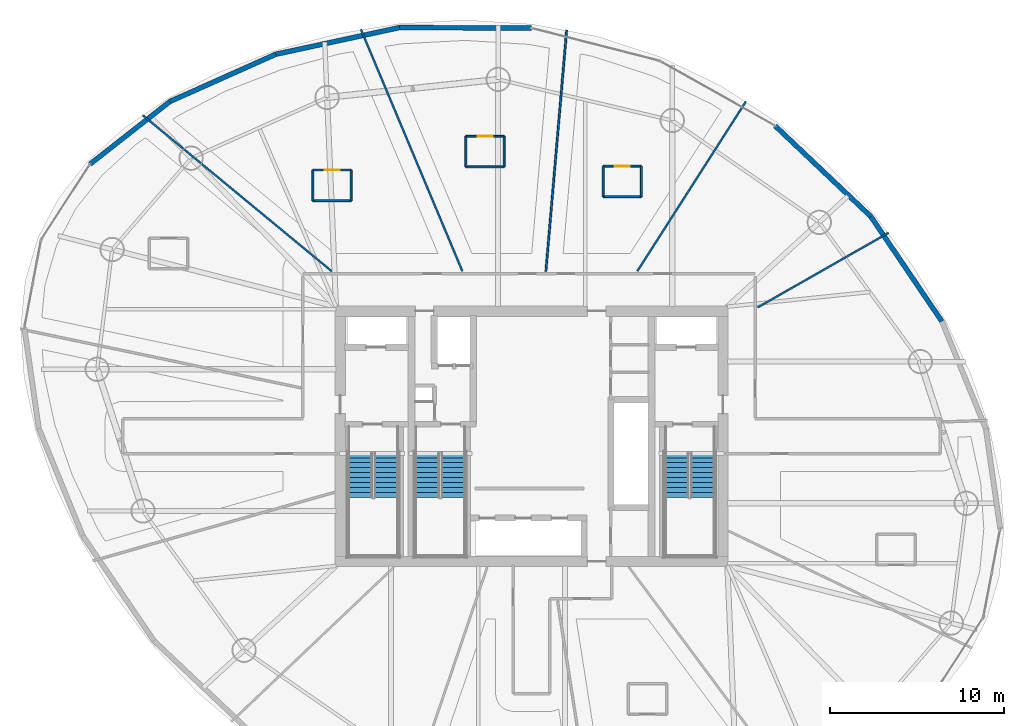
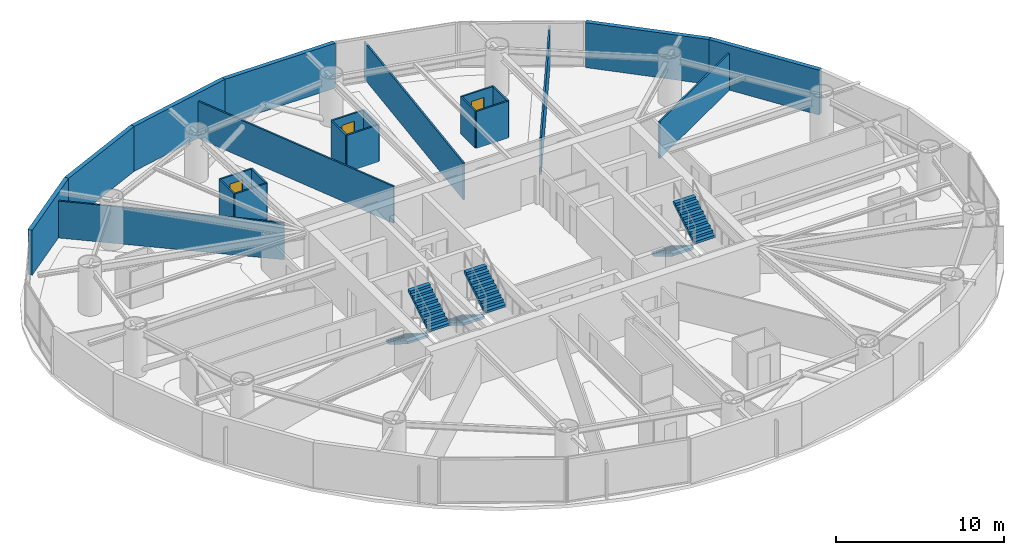
# One storey, part 18 of 22: 23 walls, 6 stair flights, 3 doors, 3 openings, 3 elements without a shape of their own.
"""IFC4 building model written with IfcOpenShell, lengths in metres."""

from ifc_helpers import new_model, si_unit, direction, frame, frame_2d, origin, place, context, subcontext, project, spatial, polyline, rectangle, outline, extrude, material, layer, layer_set, type_object, element, fill, aggregate, save


model = new_model("IFC4")

# Units and contexts
model_context = context("Model", 3, precision=1e-05, world=origin(), true_north=direction((0.0, 1.0)))
body_context = subcontext(model_context, "Body", "Model", "MODEL_VIEW")
ifc_project = project(units=[si_unit("LENGTHUNIT", "METRE"), si_unit("AREAUNIT", "SQUARE_METRE"), si_unit("VOLUMEUNIT", "CUBIC_METRE"), si_unit("PLANEANGLEUNIT", "RADIAN"), si_unit("MASSUNIT", "GRAM", prefix="KILO")], contexts=[model_context])

# Site, building, storey
site_placement = place(None, origin())
site = spatial("IfcSite", under=ifc_project, at=site_placement, CompositionType="ELEMENT")
building_placement = place(site_placement, origin())
building = spatial("IfcBuilding", under=site, at=building_placement, Name="Bramvorn Convention Spire", CompositionType="ELEMENT")
storey_placement = place(building_placement, frame((0.0, 0.0, 120.300048828125)))
storey = spatial("IfcBuildingStorey", under=building, at=storey_placement, Name="L29", CompositionType="ELEMENT", Elevation=120.300048828125)

# Walls
ifc_material_1 = material(Name="Precast Concrete C40/50 with Bronze Terracotta Rainscreen", Category="masonry")
ifc_layer_1 = layer(ifc_material_1, 0.300048828125)
ifc_layer_set_1 = layer_set([ifc_layer_1], Name="Precast Concrete C40/50 with Bronze Terracotta Rainscreen - WL-EXT-BRONZE-300")
wall_type_1 = type_object("IfcWallType", Name="WL-EXT-BRONZE-300", PredefinedType="SOLIDWALL", material=ifc_layer_set_1)
wall_1_placement = place(storey_placement, frame((57.494384765625, 38.638671875, 0.0), z_axis=(0.0, 0.0, 1.0), x_axis=(0.56098139496, -0.827828408856, 0.0)))
element("IfcWall", 1, at=wall_1_placement, inside=storey, type_object=wall_type_1, Name="L29 expressed bronze Gothic lancet pier wall 04", PredefinedType="SOLIDWALL", context=body_context, shape_type="SweptSolid", body=[
    extrude(rectangle(XDim=7.291748046875, YDim=0.280029296875, at=frame_2d((3.64599609375, 0.0))), origin(), (0.0, 0.0, 1.0), 3.260009765625),
])
for number, where, z_axis, x_axis, name in (
    (2, (51.999267578125, 43.843994140625, 0.0), (0.0, 0.0, 1.0), (0.725990823491, -0.687704387224, 0.0), "L29 expressed bronze Gothic lancet pier wall 05"),
    (3, (30.410400390625, 49.498779296875, 0.0), (0.0, 0.0, 1.0), (0.99999051966, -0.004354376033, 0.0), "L29 expressed bronze Gothic lancet pier wall 08"),
):
    element("IfcWall", number, at=place(storey_placement, frame(where, z_axis=z_axis, x_axis=x_axis)), inside=storey, type_object=wall_type_1, Name=name, PredefinedType="SOLIDWALL", context=body_context, shape_type="SweptSolid", body=[
        extrude(rectangle(XDim=7.569091796875, YDim=0.280029296875, at=frame_2d((3.78466796875, 0.0))), origin(), (0.0, 0.0, 1.0), 3.260009765625),
    ])
wall_2_placement = place(storey_placement, frame((23.28271484375, 47.9609375, 0.0), z_axis=(0.0, 0.0, 1.0), x_axis=(0.977506970117, 0.21090311371, 0.0)))
element("IfcWall", 4, at=wall_2_placement, inside=storey, type_object=wall_type_1, Name="L29 expressed bronze Gothic lancet pier wall 09", PredefinedType="SOLIDWALL", context=body_context, shape_type="SweptSolid", body=[
    extrude(rectangle(XDim=7.291748046875, YDim=0.280029296875, at=frame_2d((3.64599609375, 0.0))), origin(), (0.0, 0.0, 1.0), 3.260009765625),
])
wall_3_placement = place(storey_placement, frame((17.19677734375, 45.243408203125, 0.0), z_axis=(0.0, 0.0, 1.0), x_axis=(0.913104765645, 0.407725013896, 0.0)))
element("IfcWall", 5, at=wall_3_placement, inside=storey, type_object=wall_type_1, Name="L29 expressed bronze Gothic lancet pier wall 10", PredefinedType="SOLIDWALL", context=body_context, shape_type="SweptSolid", body=[
    extrude(rectangle(XDim=6.6650390625, YDim=0.280029296875, at=frame_2d((3.33251953125, 0.0))), origin(), (0.0, 0.0, 1.0), 3.260009765625),
])
wall_4_placement = place(storey_placement, frame((12.615234375, 41.64990234375, 0.0), z_axis=(0.0, 0.0, 1.0), x_axis=(0.786841839551, 0.617154696597, 0.0)))
element("IfcWall", 6, at=wall_4_placement, inside=storey, type_object=wall_type_1, Name="L29 expressed bronze Gothic lancet pier wall 11", PredefinedType="SOLIDWALL", context=body_context, shape_type="SweptSolid", body=[
    extrude(rectangle(XDim=5.82275390625, YDim=0.280029296875, at=frame_2d((2.911376953125, 0.0))), origin(), (0.0, 0.0, 1.0), 3.260009765625),
])
ifc_material_2 = material(Name="Lightweight En-Suite & Wet-Wall Partition", Category="gypsum")
ifc_layer_2 = layer(ifc_material_2, 0.110107421875)
ifc_layer_set_2 = layer_set([ifc_layer_2], Name="Lightweight En-Suite & Wet-Wall Partition - WL-PART-110")
wall_type_2 = type_object("IfcWallType", Name="WL-PART-110", PredefinedType="PARTITIONING", material=ifc_layer_set_2)
wall_5_placement = place(storey_placement, frame((50.989990234375, 33.406982421875, 0.0), z_axis=(0.0, 0.0, 1.0), x_axis=(0.86869681336, 0.495344169703, 0.0)))
element("IfcWall", 7, at=wall_5_placement, inside=storey, type_object=wall_type_2, Name="L29 Guestroom demising wall 2", PredefinedType="PARTITIONING", context=body_context, shape_type="SweptSolid", body=[
    extrude(rectangle(XDim=8.669677734375, YDim=0.110107421875, at=frame_2d((4.3349609375, 0.0))), origin(), (0.0, 0.0, 1.0), 2.675048828125),
])
wall_6_placement = place(storey_placement, frame((44.07275390625, 35.489990234375, 0.0), z_axis=(0.0, 0.0, 1.0), x_axis=(0.538998120289, 0.842306966803, 0.0)))
element("IfcWall", 8, at=wall_6_placement, inside=storey, type_object=wall_type_2, Name="L29 Guestroom demising wall 3", PredefinedType="PARTITIONING", context=body_context, shape_type="SweptSolid", body=[
    extrude(rectangle(XDim=11.59326171875, YDim=0.110107421875, at=frame_2d((5.796630859375, 0.0))), origin(), (0.0, 0.0, 1.0), 2.675048828125),
])
wall_7_placement = place(storey_placement, frame((38.8173828125, 35.489990234375, 0.0), z_axis=(0.0, 0.0, 1.0), x_axis=(0.085816589085, 0.996310951981, 0.0)))
element("IfcWall", 9, at=wall_7_placement, inside=storey, type_object=wall_type_2, Name="L29 Guestroom demising wall 4", PredefinedType="PARTITIONING", context=body_context, shape_type="SweptSolid", body=[
    extrude(rectangle(XDim=13.917236328125, YDim=0.110107421875, at=frame_2d((6.95849609375, 0.0))), origin(), (0.0, 0.0, 1.0), 2.675048828125),
])
wall_8_placement = place(storey_placement, frame((34.016845703125, 35.489990234375, 0.0), z_axis=(0.0, 0.0, 1.0), x_axis=(-0.387027387503, 0.922068219452, 0.0)))
element("IfcWall", 10, at=wall_8_placement, inside=storey, type_object=wall_type_2, Name="L29 Guestroom demising wall 5", PredefinedType="PARTITIONING", context=body_context, shape_type="SweptSolid", body=[
    extrude(rectangle(XDim=15.07763671875, YDim=0.110107421875, at=frame_2d((7.538818359375, 0.0))), origin(), (0.0, 0.0, 1.0), 2.675048828125),
])
wall_9_placement = place(storey_placement, frame((26.50341796875, 35.489990234375, 0.0), z_axis=(0.0, 0.0, 1.0), x_axis=(-0.771196320286, 0.636597388918, 0.0)))
element("IfcWall", 11, at=wall_9_placement, inside=storey, type_object=wall_type_2, Name="L29 Guestroom demising wall 6", PredefinedType="PARTITIONING", context=body_context, shape_type="SweptSolid", body=[
    extrude(rectangle(XDim=14.106201171875, YDim=0.110107421875, at=frame_2d((7.05322265625, 0.0))), origin(), (0.0, 0.0, 1.0), 2.675048828125),
])
wall_10_placement = place(storey_placement, frame((42.109619140625, 39.77392578125, 0.0), z_axis=(0.0, 0.0, 1.0), x_axis=(1.0, 0.0, 0.0)))
element("IfcWall", 12, at=wall_10_placement, inside=storey, type_object=wall_type_2, Name="Hotel Suite 2903 en-suite south wall", PredefinedType="PARTITIONING", context=body_context, shape_type="SweptSolid", body=[
    extrude(rectangle(XDim=2.199951171875, YDim=0.110107421875, at=frame_2d((1.10009765625, 0.0))), origin(), (0.0, 0.0, 1.0), 2.675048828125),
])

# Wall, opening, door
wall_11_placement = place(storey_placement, frame((42.109619140625, 41.533935546875, 0.0), z_axis=(0.0, 0.0, 1.0), x_axis=(1.0, 0.0, 0.0)))
wall_11 = element("IfcWall", 13, at=wall_11_placement, inside=storey, type_object=wall_type_2, Name="Hotel Suite 2903 en-suite north wall", PredefinedType="PARTITIONING", context=body_context, shape_type="SweptSolid", body=[
    extrude(rectangle(XDim=2.199951171875, YDim=0.110107421875, at=frame_2d((1.10009765625, 0.0))), origin(), (0.0, 0.0, 1.0), 2.675048828125),
])
opening_1_placement = place(wall_11_placement, frame((0.679931640625, 0.0, 0.0)))
opening_1 = element("IfcOpeningElement", 14, at=opening_1_placement, cuts=wall_11, Name="Opening DI-085", PredefinedType="OPENING", context=body_context, shape_type="SweptSolid", body=[
    extrude(rectangle(XDim=0.85009765625, YDim=2.10009765625, at=frame_2d((0.425048828125, 1.050048828125))), frame((0.0, 0.06494140625, 0.0), z_axis=(0.0, -1.0, 0.0), x_axis=(1.0, 0.0, 0.0)), (0.0, 0.0, 1.0), 0.130126953125),
])
ifc_material_3 = material(Name="En-Suite & Restroom Privacy Door", Category="wood")
door_type = type_object("IfcDoorType", Name="DR-INT-850", OperationType="NOTDEFINED", PredefinedType="DOOR", material=ifc_material_3)
door_1_placement = place(opening_1_placement, origin())
door_1 = element("IfcDoor", 15, at=door_1_placement, inside=storey, type_object=door_type, Name="Hotel Suite 2903 En-Suite Bathroom door", OperationType="SINGLE_SWING_LEFT", OverallHeight=2.10009765625, OverallWidth=0.85009765625, PredefinedType="DOOR", context=body_context, shape_type="SweptSolid", body=[
    extrude(rectangle(XDim=0.85009765625, YDim=2.10009765625, at=frame_2d((0.425048828125, 1.050048828125))), frame((0.0, 0.02490234375, 0.0), z_axis=(0.0, -1.0, 0.0), x_axis=(1.0, 0.0, 0.0)), (0.0, 0.0, 1.0), 0.050048828125),
])
fill(opening_1, door_1)

# Walls
for number, where, z_axis, x_axis, name in (
    (16, (42.109619140625, 39.77392578125, 0.0), (0.0, 0.0, 1.0), (0.0, 1.0, 0.0), "Hotel Suite 2903 en-suite west wall"),
    (17, (44.3095703125, 39.77392578125, 0.0), (0.0, 0.0, 1.0), (0.0, 1.0, 0.0), "Hotel Suite 2903 en-suite east wall"),
):
    element("IfcWall", number, at=place(storey_placement, frame(where, z_axis=z_axis, x_axis=x_axis)), inside=storey, type_object=wall_type_2, Name=name, PredefinedType="PARTITIONING", context=body_context, shape_type="SweptSolid", body=[
        extrude(rectangle(XDim=1.760009765625, YDim=0.110107421875, at=frame_2d((0.8798828125, 0.0))), origin(), (0.0, 0.0, 1.0), 2.675048828125),
    ])
wall_12_placement = place(storey_placement, frame((34.21826171875, 41.48828125, 0.0), z_axis=(0.0, 0.0, 1.0), x_axis=(1.0, 0.0, 0.0)))
element("IfcWall", 18, at=wall_12_placement, inside=storey, type_object=wall_type_2, Name="Hotel Suite 2904 en-suite south wall", PredefinedType="PARTITIONING", context=body_context, shape_type="SweptSolid", body=[
    extrude(rectangle(XDim=2.199951171875, YDim=0.110107421875, at=frame_2d((1.10009765625, 0.0))), origin(), (0.0, 0.0, 1.0), 2.675048828125),
])

# Wall, opening, door
wall_13_placement = place(storey_placement, frame((34.21826171875, 43.248291015625, 0.0), z_axis=(0.0, 0.0, 1.0), x_axis=(1.0, 0.0, 0.0)))
wall_13 = element("IfcWall", 19, at=wall_13_placement, inside=storey, type_object=wall_type_2, Name="Hotel Suite 2904 en-suite north wall", PredefinedType="PARTITIONING", context=body_context, shape_type="SweptSolid", body=[
    extrude(rectangle(XDim=2.199951171875, YDim=0.110107421875, at=frame_2d((1.10009765625, 0.0))), origin(), (0.0, 0.0, 1.0), 2.675048828125),
])
opening_2_placement = place(wall_13_placement, frame((0.679931640625, 0.0, 0.0)))
opening_2 = element("IfcOpeningElement", 20, at=opening_2_placement, cuts=wall_13, Name="Opening DI-085", PredefinedType="OPENING", context=body_context, shape_type="SweptSolid", body=[
    extrude(rectangle(XDim=0.85009765625, YDim=2.10009765625, at=frame_2d((0.425048828125, 1.050048828125))), frame((0.0, 0.06494140625, 0.0), z_axis=(0.0, -1.0, 0.0), x_axis=(1.0, 0.0, 0.0)), (0.0, 0.0, 1.0), 0.130126953125),
])
door_2_placement = place(opening_2_placement, origin())
door_2 = element("IfcDoor", 21, at=door_2_placement, inside=storey, type_object=door_type, Name="Hotel Suite 2904 En-Suite Bathroom door", OperationType="SINGLE_SWING_LEFT", OverallHeight=2.10009765625, OverallWidth=0.85009765625, PredefinedType="DOOR", context=body_context, shape_type="SweptSolid", body=[
    extrude(rectangle(XDim=0.85009765625, YDim=2.10009765625, at=frame_2d((0.425048828125, 1.050048828125))), frame((0.0, 0.02490234375, 0.0), z_axis=(0.0, -1.0, 0.0), x_axis=(1.0, 0.0, 0.0)), (0.0, 0.0, 1.0), 0.050048828125),
])
fill(opening_2, door_2)

# Walls
for number, where, z_axis, x_axis, name in (
    (22, (34.21826171875, 41.48828125, 0.0), (0.0, 0.0, 1.0), (0.0, 1.0, 0.0), "Hotel Suite 2904 en-suite west wall"),
    (23, (36.418212890625, 41.48828125, 0.0), (0.0, 0.0, 1.0), (0.0, 1.0, 0.0), "Hotel Suite 2904 en-suite east wall"),
):
    element("IfcWall", number, at=place(storey_placement, frame(where, z_axis=z_axis, x_axis=x_axis)), inside=storey, type_object=wall_type_2, Name=name, PredefinedType="PARTITIONING", context=body_context, shape_type="SweptSolid", body=[
        extrude(rectangle(XDim=1.760009765625, YDim=0.110107421875, at=frame_2d((0.8798828125, 0.0))), origin(), (0.0, 0.0, 1.0), 2.675048828125),
    ])
wall_14_placement = place(storey_placement, frame((25.424072265625, 39.548583984375, 0.0), z_axis=(0.0, 0.0, 1.0), x_axis=(1.0, 0.0, 0.0)))
element("IfcWall", 24, at=wall_14_placement, inside=storey, type_object=wall_type_2, Name="Hotel Suite 2905 en-suite south wall", PredefinedType="PARTITIONING", context=body_context, shape_type="SweptSolid", body=[
    extrude(rectangle(XDim=2.199951171875, YDim=0.110107421875, at=frame_2d((1.10009765625, 0.0))), origin(), (0.0, 0.0, 1.0), 2.675048828125),
])

# Wall, opening, door
wall_15_placement = place(storey_placement, frame((25.424072265625, 41.30859375, 0.0), z_axis=(0.0, 0.0, 1.0), x_axis=(1.0, 0.0, 0.0)))
wall_15 = element("IfcWall", 25, at=wall_15_placement, inside=storey, type_object=wall_type_2, Name="Hotel Suite 2905 en-suite north wall", PredefinedType="PARTITIONING", context=body_context, shape_type="SweptSolid", body=[
    extrude(rectangle(XDim=2.199951171875, YDim=0.110107421875, at=frame_2d((1.10009765625, 0.0))), origin(), (0.0, 0.0, 1.0), 2.675048828125),
])
opening_3_placement = place(wall_15_placement, frame((0.679931640625, 0.0, 0.0)))
opening_3 = element("IfcOpeningElement", 26, at=opening_3_placement, cuts=wall_15, Name="Opening DI-085", PredefinedType="OPENING", context=body_context, shape_type="SweptSolid", body=[
    extrude(rectangle(XDim=0.85009765625, YDim=2.10009765625, at=frame_2d((0.425048828125, 1.050048828125))), frame((0.0, 0.06494140625, 0.0), z_axis=(0.0, -1.0, 0.0), x_axis=(1.0, 0.0, 0.0)), (0.0, 0.0, 1.0), 0.130126953125),
])
door_3_placement = place(opening_3_placement, origin())
door_3 = element("IfcDoor", 27, at=door_3_placement, inside=storey, type_object=door_type, Name="Hotel Suite 2905 En-Suite Bathroom door", OperationType="SINGLE_SWING_LEFT", OverallHeight=2.10009765625, OverallWidth=0.85009765625, PredefinedType="DOOR", context=body_context, shape_type="SweptSolid", body=[
    extrude(rectangle(XDim=0.85009765625, YDim=2.10009765625, at=frame_2d((0.425048828125, 1.050048828125))), frame((0.0, 0.02490234375, 0.0), z_axis=(0.0, -1.0, 0.0), x_axis=(1.0, 0.0, 0.0)), (0.0, 0.0, 1.0), 0.050048828125),
])
fill(opening_3, door_3)

# Walls
for number, where, z_axis, x_axis, name in (
    (28, (25.424072265625, 39.548583984375, 0.0), (0.0, 0.0, 1.0), (0.0, 1.0, 0.0), "Hotel Suite 2905 en-suite west wall"),
    (29, (27.6240234375, 39.548583984375, 0.0), (0.0, 0.0, 1.0), (0.0, 1.0, 0.0), "Hotel Suite 2905 en-suite east wall"),
):
    element("IfcWall", number, at=place(storey_placement, frame(where, z_axis=z_axis, x_axis=x_axis)), inside=storey, type_object=wall_type_2, Name=name, PredefinedType="PARTITIONING", context=body_context, shape_type="SweptSolid", body=[
        extrude(rectangle(XDim=1.760009765625, YDim=0.110107421875, at=frame_2d((0.8798828125, 0.0))), origin(), (0.0, 0.0, 1.0), 2.675048828125),
    ])

# Stair, stair flights
ifc_material_4 = material(Name="Concrete C40/50 Precast Stair", Category="concrete")
stair_type = type_object("IfcStairType", Name="ST-TOWER-1550", PredefinedType="HALF_TURN_STAIR", material=ifc_material_4)
stair_1_placement = place(storey_placement, origin())
stair_1 = element("IfcStair", 30, at=stair_1_placement, inside=storey, type_object=stair_type, Name="L29 Protected Exit Stair ST1", PredefinedType="HALF_TURN_STAIR")
ifc_material_5 = material(Name="Concrete C40/50 Precast Stair Flight", Category="concrete")
stair_flight_type = type_object("IfcStairFlightType", Name="STF-TOWER-1550", PredefinedType="STRAIGHT", material=ifc_material_5)
stair_flight_1_placement = place(storey_placement, frame((28.155029296875, 25.050048828125, 0.0), z_axis=(0.0, 0.0, 1.0), x_axis=(0.0, -1.0, 0.0)))
stair_flight_1 = element("IfcStairFlight", 31, at=stair_flight_1_placement, type_object=stair_flight_type, Name="ST1 flight 1", NumberOfRisers=10, NumberOfTreads=9, PredefinedType="STRAIGHT", RiserHeight=0.175, TreadLength=0.285, context=body_context, shape_type="SweptSolid", body=[
    extrude(outline(polyline([(0.0, 0.0), (0.0, 0.175048828125), (0.284912109375, 0.175048828125), (0.284912109375, 0.35009765625), (0.570068359375, 0.35009765625), (0.570068359375, 0.52490234375), (0.85498046875, 0.52490234375), (0.85498046875, 0.699951171875), (1.139892578125, 0.699951171875), (1.139892578125, 0.875), (1.425048828125, 0.875), (1.425048828125, 1.050048828125), (1.7099609375, 1.050048828125), (1.7099609375, 1.22509765625), (1.9951171875, 1.22509765625), (1.9951171875, 1.39990234375), (2.280029296875, 1.39990234375), (2.280029296875, 1.574951171875), (2.56494140625, 1.574951171875), (2.56494140625, 1.75), (2.56494140625, 1.399169921875), (0.286376953125, 0.0), (0.0, 0.0)])), frame((0.0, 0.705078125, 0.0), z_axis=(0.0, -1.0, 0.0), x_axis=(1.0, 0.0, 0.0)), (0.0, 0.0, 1.0), 1.409912109375),
])
stair_flight_2_placement = place(storey_placement, frame((29.64501953125, 22.485107421875, 1.75), z_axis=(0.0, 0.0, 1.0), x_axis=(0.0, 1.0, 0.0)))
stair_flight_2 = element("IfcStairFlight", 32, at=stair_flight_2_placement, type_object=stair_flight_type, Name="ST1 flight 2", NumberOfRisers=10, NumberOfTreads=9, PredefinedType="STRAIGHT", RiserHeight=0.175, TreadLength=0.285, context=body_context, shape_type="SweptSolid", body=[
    extrude(outline(polyline([(0.0, 0.0), (0.0, 0.175048828125), (0.284912109375, 0.175048828125), (0.284912109375, 0.35009765625), (0.570068359375, 0.35009765625), (0.570068359375, 0.52490234375), (0.85498046875, 0.52490234375), (0.85498046875, 0.699951171875), (1.139892578125, 0.699951171875), (1.139892578125, 0.875), (1.425048828125, 0.875), (1.425048828125, 1.050048828125), (1.7099609375, 1.050048828125), (1.7099609375, 1.22509765625), (1.9951171875, 1.22509765625), (1.9951171875, 1.39990234375), (2.280029296875, 1.39990234375), (2.280029296875, 1.574951171875), (2.56494140625, 1.574951171875), (2.56494140625, 1.75), (2.56494140625, 1.399169921875), (0.286376953125, 0.0), (0.0, 0.0)])), frame((0.0, 0.705078125, 0.0), z_axis=(0.0, -1.0, 0.0), x_axis=(1.0, 0.0, 0.0)), (0.0, 0.0, 1.0), 1.409912109375),
])
aggregate(stair_1, [stair_flight_1, stair_flight_2])

stair_2_placement = place(storey_placement, origin())
stair_2 = element("IfcStair", 33, at=stair_2_placement, inside=storey, type_object=stair_type, Name="L29 Protected Exit Stair ST2", PredefinedType="HALF_TURN_STAIR")
stair_flight_3_placement = place(storey_placement, frame((46.35498046875, 25.050048828125, 0.0), z_axis=(0.0, 0.0, 1.0), x_axis=(0.0, -1.0, 0.0)))
stair_flight_3 = element("IfcStairFlight", 34, at=stair_flight_3_placement, type_object=stair_flight_type, Name="ST2 flight 1", NumberOfRisers=10, NumberOfTreads=9, PredefinedType="STRAIGHT", RiserHeight=0.175, TreadLength=0.285, context=body_context, shape_type="SweptSolid", body=[
    extrude(outline(polyline([(0.0, 0.0), (0.0, 0.175048828125), (0.284912109375, 0.175048828125), (0.284912109375, 0.35009765625), (0.570068359375, 0.35009765625), (0.570068359375, 0.52490234375), (0.85498046875, 0.52490234375), (0.85498046875, 0.699951171875), (1.139892578125, 0.699951171875), (1.139892578125, 0.875), (1.425048828125, 0.875), (1.425048828125, 1.050048828125), (1.7099609375, 1.050048828125), (1.7099609375, 1.22509765625), (1.9951171875, 1.22509765625), (1.9951171875, 1.39990234375), (2.280029296875, 1.39990234375), (2.280029296875, 1.574951171875), (2.56494140625, 1.574951171875), (2.56494140625, 1.75), (2.56494140625, 1.399169921875), (0.286376953125, 0.0), (0.0, 0.0)])), frame((0.0, 0.705078125, 0.0), z_axis=(0.0, -1.0, 0.0), x_axis=(1.0, 0.0, 0.0)), (0.0, 0.0, 1.0), 1.409912109375),
])
stair_flight_4_placement = place(storey_placement, frame((47.844970703125, 22.485107421875, 1.75), z_axis=(0.0, 0.0, 1.0), x_axis=(0.0, 1.0, 0.0)))
stair_flight_4 = element("IfcStairFlight", 35, at=stair_flight_4_placement, type_object=stair_flight_type, Name="ST2 flight 2", NumberOfRisers=10, NumberOfTreads=9, PredefinedType="STRAIGHT", RiserHeight=0.175, TreadLength=0.285, context=body_context, shape_type="SweptSolid", body=[
    extrude(outline(polyline([(0.0, 0.0), (0.0, 0.175048828125), (0.284912109375, 0.175048828125), (0.284912109375, 0.35009765625), (0.570068359375, 0.35009765625), (0.570068359375, 0.52490234375), (0.85498046875, 0.52490234375), (0.85498046875, 0.699951171875), (1.139892578125, 0.699951171875), (1.139892578125, 0.875), (1.425048828125, 0.875), (1.425048828125, 1.050048828125), (1.7099609375, 1.050048828125), (1.7099609375, 1.22509765625), (1.9951171875, 1.22509765625), (1.9951171875, 1.39990234375), (2.280029296875, 1.39990234375), (2.280029296875, 1.574951171875), (2.56494140625, 1.574951171875), (2.56494140625, 1.75), (2.56494140625, 1.399169921875), (0.286376953125, 0.0), (0.0, 0.0)])), frame((0.0, 0.705078125, 0.0), z_axis=(0.0, -1.0, 0.0), x_axis=(1.0, 0.0, 0.0)), (0.0, 0.0, 1.0), 1.409912109375),
])
aggregate(stair_2, [stair_flight_3, stair_flight_4])

stair_3_placement = place(storey_placement, origin())
stair_3 = element("IfcStair", 36, at=stair_3_placement, inside=storey, type_object=stair_type, Name="L29 Protected Exit Stair ST3", PredefinedType="HALF_TURN_STAIR")
stair_flight_5_placement = place(storey_placement, frame((32.0048828125, 25.050048828125, 0.0), z_axis=(0.0, 0.0, 1.0), x_axis=(0.0, -1.0, 0.0)))
stair_flight_5 = element("IfcStairFlight", 37, at=stair_flight_5_placement, type_object=stair_flight_type, Name="ST3 flight 1", NumberOfRisers=10, NumberOfTreads=9, PredefinedType="STRAIGHT", RiserHeight=0.175, TreadLength=0.285, context=body_context, shape_type="SweptSolid", body=[
    extrude(outline(polyline([(0.0, 0.0), (0.0, 0.175048828125), (0.284912109375, 0.175048828125), (0.284912109375, 0.35009765625), (0.570068359375, 0.35009765625), (0.570068359375, 0.52490234375), (0.85498046875, 0.52490234375), (0.85498046875, 0.699951171875), (1.139892578125, 0.699951171875), (1.139892578125, 0.875), (1.425048828125, 0.875), (1.425048828125, 1.050048828125), (1.7099609375, 1.050048828125), (1.7099609375, 1.22509765625), (1.9951171875, 1.22509765625), (1.9951171875, 1.39990234375), (2.280029296875, 1.39990234375), (2.280029296875, 1.574951171875), (2.56494140625, 1.574951171875), (2.56494140625, 1.75), (2.56494140625, 1.399169921875), (0.286376953125, 0.0), (0.0, 0.0)])), frame((0.0, 0.705078125, 0.0), z_axis=(0.0, -1.0, 0.0), x_axis=(1.0, 0.0, 0.0)), (0.0, 0.0, 1.0), 1.409912109375),
])
stair_flight_6_placement = place(storey_placement, frame((33.4951171875, 22.485107421875, 1.75), z_axis=(0.0, 0.0, 1.0), x_axis=(0.0, 1.0, 0.0)))
stair_flight_6 = element("IfcStairFlight", 38, at=stair_flight_6_placement, type_object=stair_flight_type, Name="ST3 flight 2", NumberOfRisers=10, NumberOfTreads=9, PredefinedType="STRAIGHT", RiserHeight=0.175, TreadLength=0.285, context=body_context, shape_type="SweptSolid", body=[
    extrude(outline(polyline([(0.0, 0.0), (0.0, 0.175048828125), (0.284912109375, 0.175048828125), (0.284912109375, 0.35009765625), (0.570068359375, 0.35009765625), (0.570068359375, 0.52490234375), (0.85498046875, 0.52490234375), (0.85498046875, 0.699951171875), (1.139892578125, 0.699951171875), (1.139892578125, 0.875), (1.425048828125, 0.875), (1.425048828125, 1.050048828125), (1.7099609375, 1.050048828125), (1.7099609375, 1.22509765625), (1.9951171875, 1.22509765625), (1.9951171875, 1.39990234375), (2.280029296875, 1.39990234375), (2.280029296875, 1.574951171875), (2.56494140625, 1.574951171875), (2.56494140625, 1.75), (2.56494140625, 1.399169921875), (0.286376953125, 0.0), (0.0, 0.0)])), frame((0.0, 0.705078125, 0.0), z_axis=(0.0, -1.0, 0.0), x_axis=(1.0, 0.0, 0.0)), (0.0, 0.0, 1.0), 1.409912109375),
])
aggregate(stair_3, [stair_flight_5, stair_flight_6])

save(model, "model.ifc")
